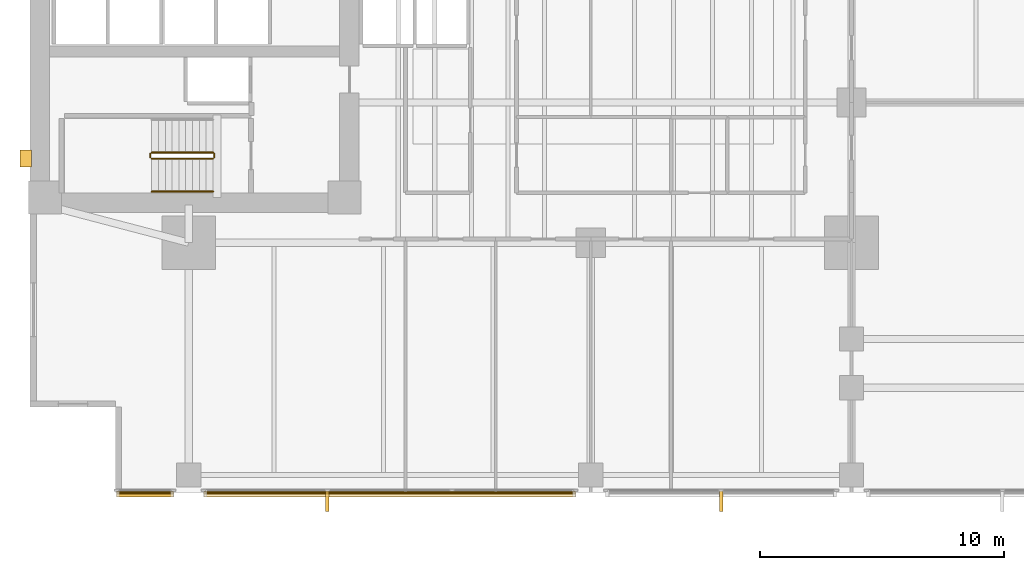
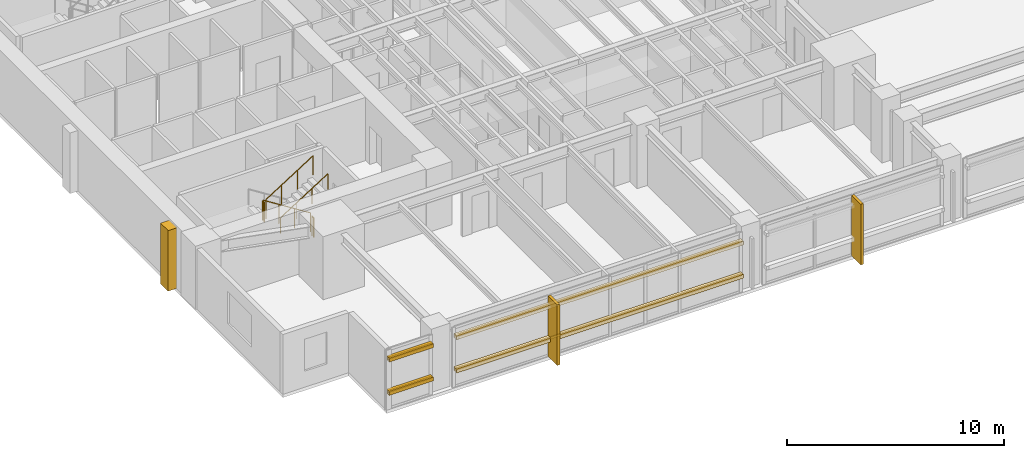
# One storey, part 12 of 16: 7 coverings, 5 railings, 4 shading devices.
"""IFC4 building model written with IfcOpenShell, lengths in metres."""

import ifcopenshell
import ifcopenshell.guid

model = None  # the IFC model being written
_history = None  # IfcOwnerHistory: only IFC2X3 demands one
_inside = {}  # id of a spatial element -> (the spatial element, [elements in it])
_under = {}  # id of a project, library or spatial element -> (it, [spatial elements below it])
_declared = {}  # id of a project -> (the project, [libraries it declares])
_typed = {}  # id of a type object -> (the type object, [elements of that type])
_made_of = {}  # id of a material, layer set ... -> (it, [elements and type objects made of it])


def new_model(schema):
    """Start an empty IFC model of exactly this schema.

    Asked for "IFC4X3", IfcOpenShell would pick the latest addendum, in which some entities
    have other attributes; the version numbers below select the first issue.
    IFC2X3 requires an IfcOwnerHistory on every rooted entity: one is made here for all.
    """
    global model, _history
    if schema == "IFC4X3":
        model = ifcopenshell.file(schema_version=(4, 3, 0, 0))
    else:
        model = ifcopenshell.file(schema=schema)
    _inside.clear()
    _under.clear()
    _declared.clear()
    _typed.clear()
    _made_of.clear()
    _history = None
    if model.schema == "IFC2X3":
        org = make("IfcOrganization", Name="unknown")
        user = make(
            "IfcPersonAndOrganization",
            ThePerson=make("IfcPerson", FamilyName="unknown"),
            TheOrganization=org,
        )
        app = make(
            "IfcApplication",
            ApplicationDeveloper=org,
            Version="unknown",
            ApplicationFullName="unknown",
            ApplicationIdentifier="unknown",
        )
        _history = make(
            "IfcOwnerHistory",
            OwningUser=user,
            OwningApplication=app,
            ChangeAction="ADDED",
            CreationDate=0,
        )
    return model


def make(cls, **values):
    """One entity of the class cls with the attributes given. An attribute that is None is left unset."""
    return model.create_entity(
        cls, **{name: value for name, value in values.items() if value is not None}
    )


def rooted(cls, **values):
    """An entity with a GlobalId (a new one), such as an element, a storey or a relation."""
    return make(cls, GlobalId=ifcopenshell.guid.new(), OwnerHistory=_history, **values)


def si_unit(unit_type, name, prefix=None):
    """IfcSIUnit, for example si_unit("LENGTHUNIT", "METRE", prefix="MILLI")."""
    return make("IfcSIUnit", UnitType=unit_type, Prefix=prefix, Name=name)


def assignment(units):
    """IfcUnitAssignment: the units of a project."""
    return None if units is None else make("IfcUnitAssignment", Units=units)


def point(xyz):
    """IfcCartesianPoint."""
    return None if xyz is None else make("IfcCartesianPoint", Coordinates=xyz)


def direction(xyz):
    """IfcDirection."""
    return None if xyz is None else make("IfcDirection", DirectionRatios=xyz)


def frame(location, z_axis=None, x_axis=None):
    """IfcAxis2Placement3D, a coordinate frame: its origin and axes. An axis left out is left unset."""
    return make(
        "IfcAxis2Placement3D",
        Location=point(location),
        Axis=direction(z_axis),
        RefDirection=direction(x_axis),
    )


def frame_2d(location, x_axis=None):
    """IfcAxis2Placement2D, a coordinate frame in the plane: its origin and x axis."""
    return make(
        "IfcAxis2Placement2D", Location=point(location), RefDirection=direction(x_axis)
    )


def origin():
    """The frame at (0, 0, 0) with its axes left unset."""
    return frame((0.0, 0.0, 0.0))


def origin_2d():
    """The frame at (0, 0) in the plane with its x axis left unset."""
    return frame_2d((0.0, 0.0))


def place(relative_to, where):
    """IfcLocalPlacement: puts the frame where relative to a parent placement (None: the world)."""
    return make(
        "IfcLocalPlacement", PlacementRelTo=relative_to, RelativePlacement=where
    )


def context(
    kind, dimensions, precision=None, world=None, true_north=None, identifier=None
):
    """IfcGeometricRepresentationContext, for example the 3D "Model" context."""
    return make(
        "IfcGeometricRepresentationContext",
        ContextIdentifier=identifier,
        ContextType=kind,
        CoordinateSpaceDimension=dimensions,
        Precision=precision,
        WorldCoordinateSystem=world,
        TrueNorth=true_north,
    )


def subcontext(parent, identifier, kind, view, scale=None):
    """IfcGeometricRepresentationSubContext, for example "Body" below "Model"."""
    return make(
        "IfcGeometricRepresentationSubContext",
        ContextIdentifier=identifier,
        ContextType=kind,
        ParentContext=parent,
        TargetScale=scale,
        TargetView=view,
    )


def project(units=None, contexts=None):
    """IfcProject with its units and contexts."""
    return rooted(
        "IfcProject",
        Name="project",
        RepresentationContexts=contexts,
        UnitsInContext=assignment(units),
    )


def spatial(cls, under=None, at=None, **own):
    """A site, building, storey or space (cls), placed at a placement, below another one or the project."""
    s = rooted(cls, ObjectPlacement=at, **own)
    if under is not None:
        _under.setdefault(under.id(), (under, []))[1].append(s)
    return s


def polyline(points):
    """IfcPolyline through the points."""
    return make("IfcPolyline", Points=[point(p) for p in points])


def profile(cls, at=None, kind="AREA", **sizes):
    """A parametric profile (cls). Its sizes go by their IFC names, for example OverallWidth=200.0."""
    return make(cls, ProfileType=kind, Position=at, **sizes)


def rectangle(**sizes):
    """IfcRectangleProfileDef."""
    return profile("IfcRectangleProfileDef", **sizes)


def circle(**sizes):
    """IfcCircleProfileDef."""
    return profile("IfcCircleProfileDef", **sizes)


def outline(outer, holes=None, kind="AREA"):
    """IfcArbitraryClosedProfileDef: a profile drawn as a closed curve; with holes, ...WithVoids."""
    if holes is None:
        return make("IfcArbitraryClosedProfileDef", ProfileType=kind, OuterCurve=outer)
    return make(
        "IfcArbitraryProfileDefWithVoids",
        ProfileType=kind,
        OuterCurve=outer,
        InnerCurves=holes,
    )


def extrude(swept, where, along, depth):
    """IfcExtrudedAreaSolid: the profile swept, set in the frame where, extruded along a direction by depth."""
    return make(
        "IfcExtrudedAreaSolid",
        SweptArea=swept,
        Position=where,
        ExtrudedDirection=direction(along),
        Depth=depth,
    )


def shape(context_of_items, identifier, shape_type, items):
    """IfcShapeRepresentation: the items that make up one representation, for example the "Body"."""
    return make(
        "IfcShapeRepresentation",
        ContextOfItems=context_of_items,
        RepresentationIdentifier=identifier,
        RepresentationType=shape_type,
        Items=items,
    )


def material(Name=None, Category=None):
    """IfcMaterial."""
    return make("IfcMaterial", Name=Name, Category=Category)


def layer(
    of_material, thickness, ventilated=None, Name=None, Category=None, Priority=None
):
    """IfcMaterialLayer: one layer of a wall or slab, of a material (None: an air gap)."""
    return make(
        "IfcMaterialLayer",
        Material=of_material,
        LayerThickness=thickness,
        IsVentilated=ventilated,
        Name=Name,
        Category=Category,
        Priority=Priority,
    )


def layer_set(layers, Name=None):
    """IfcMaterialLayerSet."""
    return make("IfcMaterialLayerSet", MaterialLayers=layers, LayerSetName=Name)


def material_profile(
    of_material, cross_section, Name=None, Category=None, Priority=None
):
    """IfcMaterialProfile: a cross section and its material."""
    return make(
        "IfcMaterialProfile",
        Name=Name,
        Material=of_material,
        Profile=cross_section,
        Priority=Priority,
        Category=Category,
    )


def profile_set(profiles, Name=None, composite=None):
    """IfcMaterialProfileSet."""
    return make(
        "IfcMaterialProfileSet",
        Name=Name,
        MaterialProfiles=profiles,
        CompositeProfile=composite,
    )


def made_of(thing, what):
    """Note that an element or type object is made of a material, layer set ...; save() writes the relation."""
    if what is not None:
        _made_of.setdefault(what.id(), (what, []))[1].append(thing)
    return thing


def type_object(cls, material=None, **own):
    """A type object (cls), such as IfcWallType, which elements share."""
    return made_of(rooted(cls, **own), material)


def element(
    cls,
    number,
    at=None,
    inside=None,
    cuts=None,
    type_object=None,
    material=None,
    context=None,
    identifier="Body",
    shape_type=None,
    held_by="IfcProductDefinitionShape",
    body=None,
    shapes=None,
    **own,
):
    """One element of the class cls, such as IfcWall. Its Tag is "e" and its number.

    at: its placement. inside: the storey or other place that contains it. cuts: it is an
    opening in that element (IfcRelVoidsElement). A single representation is given by context,
    identifier, shape_type and body (its items); several are given by shapes. held_by: the class
    of the entity that holds the representations. save() writes the other relations.
    """
    e = rooted(cls, Tag="e%d" % number, ObjectPlacement=at, **own)
    if body is not None:
        shapes = [shape(context, identifier, shape_type, body)]
    if shapes is not None:
        e.Representation = make(held_by, Representations=shapes)
    if inside is not None:
        _inside.setdefault(inside.id(), (inside, []))[1].append(e)
    if cuts is not None:
        rooted(
            "IfcRelVoidsElement", RelatingBuildingElement=cuts, RelatedOpeningElement=e
        )
    if type_object is not None:
        _typed.setdefault(type_object.id(), (type_object, []))[1].append(e)
    return made_of(e, material)


def aggregate(whole, parts):
    """IfcRelAggregates: a whole, such as a stair, and the parts it consists of."""
    return rooted("IfcRelAggregates", RelatingObject=whole, RelatedObjects=parts)


def save(model, path):
    """Write the relations noted so far, then the file.

    IfcRelAggregates (storeys below a building ...), IfcRelContainedInSpatialStructure (elements
    in a storey), IfcRelDefinesByType, IfcRelAssociatesMaterial and IfcRelDeclares: one each for
    every whole, place, type object, material and project.
    """
    for whole, parts in _under.values():
        aggregate(whole, parts)
    for where, things in _inside.values():
        rooted(
            "IfcRelContainedInSpatialStructure",
            RelatedElements=things,
            RelatingStructure=where,
        )
    for kind, things in _typed.values():
        rooted("IfcRelDefinesByType", RelatedObjects=things, RelatingType=kind)
    for what, things in _made_of.values():
        rooted("IfcRelAssociatesMaterial", RelatedObjects=things, RelatingMaterial=what)
    for by, libraries in _declared.values():
        rooted("IfcRelDeclares", RelatingContext=by, RelatedDefinitions=libraries)
    model.write(path)


model = new_model("IFC4")

# Units and contexts
model_context = context("Model", 3, precision=1e-05, world=origin(), true_north=direction((0.0, 1.0)))
body_context = subcontext(model_context, "Body", "Model", "MODEL_VIEW")
ifc_project = project(units=[si_unit("LENGTHUNIT", "METRE"), si_unit("AREAUNIT", "SQUARE_METRE"), si_unit("VOLUMEUNIT", "CUBIC_METRE"), si_unit("PLANEANGLEUNIT", "RADIAN"), si_unit("MASSUNIT", "GRAM", prefix="KILO")], contexts=[model_context])

# Site, building, storey
site_placement = place(None, origin())
site = spatial("IfcSite", under=ifc_project, at=site_placement, CompositionType="ELEMENT")
building_placement = place(site_placement, origin())
building = spatial("IfcBuilding", under=site, at=building_placement, Name="Kinhvarn Gate Tower", CompositionType="ELEMENT")
storey_placement = place(building_placement, frame((0.0, 0.0, 82.39990234375)))
storey = spatial("IfcBuildingStorey", under=building, at=storey_placement, Name="L21", CompositionType="ELEMENT", Elevation=82.39990234375)

# Coverings
ifc_material_1 = material(Name="Fired architectural terracotta", Category="masonry")
ifc_layer_1 = layer(ifc_material_1, 0.239990234375)
ifc_layer_set_1 = layer_set([ifc_layer_1], Name="Fired architectural terracotta")
covering_type_1 = type_object("IfcCoveringType", Name="COV-BAG-220", PredefinedType="CLADDING", material=ifc_layer_set_1)
for number, where, name in (
    (1, (0.0, 0.0, 0.940185546875), "Terracotta Horizontal Sunscreen Band TBG-220 (L21)"),
    (2, (0.0, 0.0, 2.81005859375), "Terracotta Horizontal Sunscreen Band TBG-220 (L21)"),
):
    element("IfcCovering", number, at=place(storey_placement, frame(where)), inside=storey, type_object=covering_type_1, Name=name, PredefinedType="CLADDING", context=body_context, shape_type="SweptSolid", body=[
        extrude(outline(polyline([(8.0400390625, 2.56005859375), (10.3798828125, 2.56005859375), (10.3798828125, 2.320068359375), (8.0400390625, 2.320068359375), (8.0400390625, 2.56005859375)])), origin(), (0.0, 0.0, 1.0), 0.219970703125),
    ])
for number, where, name in (
    (3, (0.0, 0.0, 0.940185546875), "Terracotta Horizontal Sunscreen Band TBG-220 (L21)"),
    (4, (0.0, 0.0, 2.81005859375), "Terracotta Horizontal Sunscreen Band TBG-220 (L21)"),
):
    element("IfcCovering", number, at=place(storey_placement, frame(where)), inside=storey, type_object=covering_type_1, Name=name, PredefinedType="CLADDING", context=body_context, shape_type="SweptSolid", body=[
        extrude(outline(polyline([(11.6201171875, 2.56005859375), (26.8798828125, 2.56005859375), (26.8798828125, 2.320068359375), (11.6201171875, 2.320068359375), (11.6201171875, 2.56005859375)])), origin(), (0.0, 0.0, 1.0), 0.219970703125),
    ])
ifc_layer_2 = layer(ifc_material_1, 0.139892578125)
ifc_layer_set_2 = layer_set([ifc_layer_2], Name="Fired architectural terracotta")
covering_type_2 = type_object("IfcCoveringType", Name="COV-FIN-850", PredefinedType="CLADDING", material=ifc_layer_set_2)
covering_1_placement = place(storey_placement, frame((0.0, 0.0, -0.02001953125)))
element("IfcCovering", 5, at=covering_1_placement, inside=storey, type_object=covering_type_2, Name="Vertical Terracotta Expressive Fin TFN-850 (L21)", PredefinedType="CLADDING", context=body_context, shape_type="SweptSolid", body=[
    extrude(outline(polyline([(16.623291015625, 2.570068359375), (16.76318359375, 2.570068359375), (16.76318359375, 1.719970703125), (16.623291015625, 1.719970703125), (16.623291015625, 2.570068359375)])), origin(), (0.0, 0.0, 1.0), 3.41015625),
])
covering_2_placement = place(storey_placement, frame((0.0, 0.0, -0.02001953125)))
element("IfcCovering", 6, at=covering_2_placement, inside=storey, type_object=covering_type_2, Name="Vertical Terracotta Expressive Fin TFN-850 (L21)", PredefinedType="CLADDING", context=body_context, shape_type="SweptSolid", body=[
    extrude(outline(polyline([(32.780029296875, 2.570068359375), (32.919921875, 2.570068359375), (32.919921875, 1.719970703125), (32.780029296875, 1.719970703125), (32.780029296875, 2.570068359375)])), origin(), (0.0, 0.0, 1.0), 3.41015625),
])
ifc_material_2 = material(Name="Precast white architectural concrete C40/50", Category="concrete")
ifc_layer_3 = layer(ifc_material_2, 0.47998046875)
ifc_layer_set_3 = layer_set([ifc_layer_3], Name="Precast white architectural concrete C40/50")
covering_type_3 = type_object("IfcCoveringType", Name="COV-RIB-450", PredefinedType="CLADDING", material=ifc_layer_set_3)
covering_3_placement = place(storey_placement, frame((0.0, 0.0, -0.02001953125)))
element("IfcCovering", 7, at=covering_3_placement, inside=storey, type_object=covering_type_3, Name="West Core Sculptural Concrete Relief Rib CRB-450 (L21)", PredefinedType="CLADDING", context=body_context, shape_type="SweptSolid", body=[
    extrude(outline(polyline([(4.080078125, 15.85009765625), (4.56005859375, 15.85009765625), (4.56005859375, 16.550048828125), (4.080078125, 16.550048828125), (4.080078125, 15.85009765625)])), origin(), (0.0, 0.0, 1.0), 3.41015625),
])

# Railings
ifc_material_3 = material(Name="Steel S355", Category="steel")
railing_type_1 = type_object("IfcRailingType", Name="RL-ST-GRD", PredefinedType="BALUSTRADE", material=ifc_material_3)
railing_1_placement = place(storey_placement, frame((12.0, 16.449951171875, 0.177490234375)))
element("IfcRailing", 8, at=railing_1_placement, inside=storey, type_object=railing_type_1, Name="L21 ST1 stair guard 1", PredefinedType="BALUSTRADE", context=body_context, shape_type="SweptSolid", body=[
    extrude(circle(Radius=0.02392578125, at=origin_2d()), frame((0.0, 0.0, 1.076171875), z_axis=(-0.84456994832, 0.0, 0.535445237532), x_axis=(0.0, -1.0, 0.0)), (0.0, 0.0, 1.0), 2.98388671875),
    extrude(circle(Radius=0.02099609375, at=origin_2d()), origin(), (0.0, 0.0, 1.0), 1.052001953125),
    extrude(circle(Radius=0.02099609375, at=origin_2d()), frame((-0.840087890625, 0.0, 0.532470703125)), (0.0, 0.0, 1.0), 1.052001953125),
    extrude(circle(Radius=0.02099609375, at=origin_2d()), frame((-1.679931640625, 0.0, 1.065185546875)), (0.0, 0.0, 1.0), 1.052001953125),
    extrude(circle(Radius=0.02099609375, at=origin_2d()), frame((-2.52001953125, 0.0, 1.59765625)), (0.0, 0.0, 1.0), 1.052001953125),
])
railing_2_placement = place(storey_placement, frame((9.429931640625, 16.39990234375, 1.775146484375)))
element("IfcRailing", 9, at=railing_2_placement, inside=storey, type_object=railing_type_1, Name="L21 ST1 stair guard 2", PredefinedType="BALUSTRADE", context=body_context, shape_type="SweptSolid", body=[
    extrude(circle(Radius=0.02392578125, at=origin_2d()), frame((0.0, 0.0, 1.076171875), z_axis=(0.0, -1.0, 0.0), x_axis=(1.0, 0.0, 0.0)), (0.0, 0.0, 1.0), 0.14990234375),
    extrude(circle(Radius=0.02099609375, at=origin_2d()), origin(), (0.0, 0.0, 1.0), 1.052001953125),
    extrude(circle(Radius=0.02099609375, at=origin_2d()), frame((0.0, -0.14990234375, 0.0)), (0.0, 0.0, 1.0), 1.052001953125),
])
railing_3_placement = place(storey_placement, frame((9.47998046875, 16.199951171875, 1.95263671875)))
element("IfcRailing", 10, at=railing_3_placement, inside=storey, type_object=railing_type_1, Name="L21 ST1 stair guard 3", PredefinedType="BALUSTRADE", context=body_context, shape_type="SweptSolid", body=[
    extrude(circle(Radius=0.02392578125, at=origin_2d()), frame((0.0, 0.0, 1.076171875), z_axis=(0.84460694969, 0.0, 0.535386869969), x_axis=(0.0, 1.0, 0.0)), (0.0, 0.0, 1.0), 2.983642578125),
    extrude(circle(Radius=0.02099609375, at=origin_2d()), origin(), (0.0, 0.0, 1.0), 1.052001953125),
    extrude(circle(Radius=0.02099609375, at=origin_2d()), frame((0.840087890625, 0.0, 0.532470703125)), (0.0, 0.0, 1.0), 1.052001953125),
    extrude(circle(Radius=0.02099609375, at=origin_2d()), frame((1.679931640625, 0.0, 1.06494140625)), (0.0, 0.0, 1.0), 1.052001953125),
    extrude(circle(Radius=0.02099609375, at=origin_2d()), frame((2.52001953125, 0.0, 1.597412109375)), (0.0, 0.0, 1.0), 1.052001953125),
])
railing_4_placement = place(storey_placement, frame((12.050048828125, 16.39990234375, 0.0)))
element("IfcRailing", 11, at=railing_4_placement, inside=storey, type_object=railing_type_1, Name="L21 ST1 stair guard 4", PredefinedType="BALUSTRADE", context=body_context, shape_type="SweptSolid", body=[
    extrude(circle(Radius=0.02392578125, at=origin_2d()), frame((0.0, 0.0, 1.076171875), z_axis=(0.0, -1.0, 0.0), x_axis=(1.0, 0.0, 0.0)), (0.0, 0.0, 1.0), 0.14990234375),
    extrude(circle(Radius=0.02099609375, at=origin_2d()), origin(), (0.0, 0.0, 1.0), 1.052001953125),
    extrude(circle(Radius=0.02099609375, at=origin_2d()), frame((0.0, -0.14990234375, 0.0)), (0.0, 0.0, 1.0), 1.052001953125),
])
railing_type_2 = type_object("IfcRailingType", Name="RL-ST-HND", PredefinedType="HANDRAIL", material=ifc_material_3)
railing_5_placement = place(storey_placement, frame((9.47998046875, 14.85009765625, 1.95263671875)))
element("IfcRailing", 12, at=railing_5_placement, inside=storey, type_object=railing_type_2, Name="L21 ST1 stair handrail 2", PredefinedType="HANDRAIL", context=body_context, shape_type="SweptSolid", body=[
    extrude(circle(Radius=0.02392578125, at=origin_2d()), frame((0.0, 0.0, 0.8759765625), z_axis=(0.84460694969, 0.0, 0.535386869969), x_axis=(0.0, 1.0, 0.0)), (0.0, 0.0, 1.0), 2.983642578125),
    extrude(circle(Radius=0.02099609375, at=origin_2d()), origin(), (0.0, 0.0, 1.0), 0.851806640625),
    extrude(circle(Radius=0.02099609375, at=origin_2d()), frame((0.840087890625, 0.0, 0.532470703125)), (0.0, 0.0, 1.0), 0.851806640625),
    extrude(circle(Radius=0.02099609375, at=origin_2d()), frame((1.679931640625, 0.0, 1.06494140625)), (0.0, 0.0, 1.0), 0.851806640625),
    extrude(circle(Radius=0.02099609375, at=origin_2d()), frame((2.52001953125, 0.0, 1.597412109375)), (0.0, 0.0, 1.0), 0.851806640625),
])

# Shading devices
ifc_material_profile = material_profile(ifc_material_1, rectangle(XDim=0.06005859375, YDim=0.139892578125, at=origin_2d()), Name="TC 60x140")
ifc_profile_set = profile_set([ifc_material_profile], Name="Fired architectural terracotta")
shading_device_type = type_object("IfcShadingDeviceType", Name="SHD-BAG-180", PredefinedType="USERDEFINED", material=ifc_profile_set)
for number, where, z_axis, x_axis, name in (
    (13, (8.0400390625, 2.485107421875, 1.050048828125), (1.0, 0.0, 0.0), (0.0, 1.0, 0.0), "Fired Terracotta Baguette Screen Rod 60x140 mm (L21)"),
    (14, (8.0400390625, 2.485107421875, 2.920166015625), (1.0, 0.0, 0.0), (0.0, 1.0, 0.0), "Fired Terracotta Baguette Screen Rod 60x140 mm (L21)"),
):
    element("IfcShadingDevice", number, at=place(storey_placement, frame(where, z_axis=z_axis, x_axis=x_axis)), inside=storey, type_object=shading_device_type, Name=name, ObjectType="BAGUETTE", PredefinedType="USERDEFINED", context=body_context, shape_type="SweptSolid", body=[
        extrude(rectangle(XDim=0.06005859375, YDim=0.139892578125, at=origin_2d()), origin(), (0.0, 0.0, 1.0), 2.33984375),
    ])
for number, where, z_axis, x_axis, name in (
    (15, (11.6201171875, 2.485107421875, 1.050048828125), (1.0, 0.0, 0.0), (0.0, 1.0, 0.0), "Fired Terracotta Baguette Screen Rod 60x140 mm (L21)"),
    (16, (11.6201171875, 2.485107421875, 2.920166015625), (1.0, 0.0, 0.0), (0.0, 1.0, 0.0), "Fired Terracotta Baguette Screen Rod 60x140 mm (L21)"),
):
    element("IfcShadingDevice", number, at=place(storey_placement, frame(where, z_axis=z_axis, x_axis=x_axis)), inside=storey, type_object=shading_device_type, Name=name, ObjectType="BAGUETTE", PredefinedType="USERDEFINED", context=body_context, shape_type="SweptSolid", body=[
        extrude(rectangle(XDim=0.06005859375, YDim=0.139892578125, at=origin_2d()), origin(), (0.0, 0.0, 1.0), 15.259765625),
    ])

save(model, "model.ifc")
